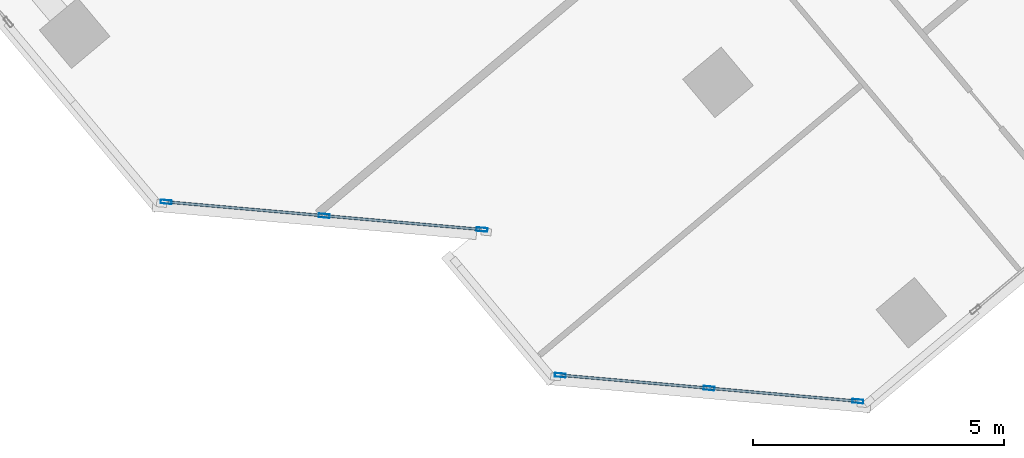
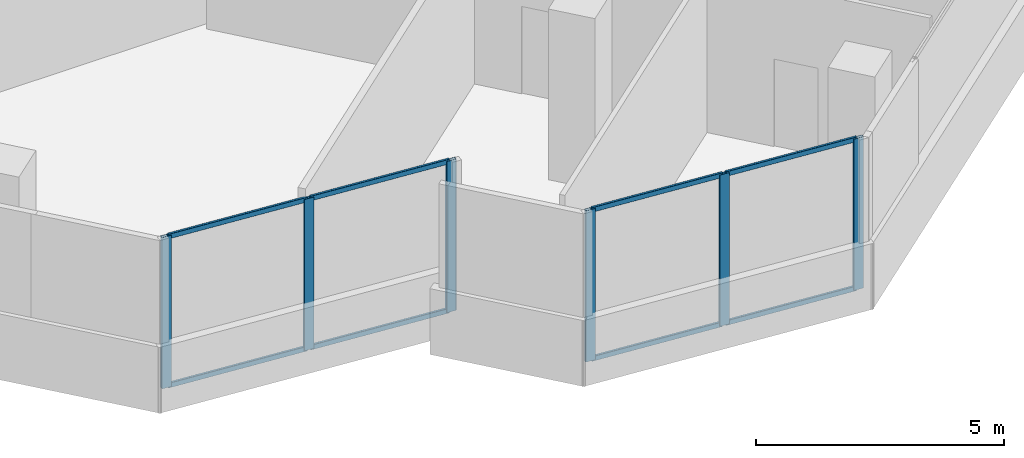
# One storey, part 3 of 17: 14 members, 2 elements without a shape of their own.
"""IFC4 building model written with IfcOpenShell, lengths in metres."""

from ifc_helpers import new_model, si_unit, direction, frame, origin, origin_2d, place, context, subcontext, project, spatial, hollow_rectangle, extrude, source, transform, mapped, material, material_profile, profile_set, type_object, element, aggregate, save


model = new_model("IFC4")

# Units and contexts
model_context = context("Model", 3, precision=1e-05, world=origin(), true_north=direction((0.0, 1.0)))
body_context = subcontext(model_context, "Body", "Model", "MODEL_VIEW")
ifc_project = project(units=[si_unit("LENGTHUNIT", "METRE"), si_unit("AREAUNIT", "SQUARE_METRE"), si_unit("VOLUMEUNIT", "CUBIC_METRE"), si_unit("PLANEANGLEUNIT", "RADIAN"), si_unit("MASSUNIT", "GRAM", prefix="KILO")], contexts=[model_context])

# Site, building, storey
site_placement = place(None, origin())
site = spatial("IfcSite", under=ifc_project, at=site_placement, CompositionType="ELEMENT")
building_placement = place(site_placement, origin())
building = spatial("IfcBuilding", under=site, at=building_placement, Name="Torre Montelarca", CompositionType="ELEMENT")
storey_placement = place(building_placement, frame((0.0, 0.0, 271.0)))
storey = spatial("IfcBuildingStorey", under=building, at=storey_placement, Name="L61", CompositionType="ELEMENT", Elevation=271.0)

# Curtain wall, members
ifc_material_1 = material(Name="Insulated low-E laminated glass", Category="glass")
curtain_wall_type = type_object("IfcCurtainWallType", Name="CW-SYS-Z3", PredefinedType="USERDEFINED", material=ifc_material_1)
curtain_wall_1_placement = place(storey_placement, origin())
curtain_wall_1 = element("IfcCurtainWall", 1, at=curtain_wall_1_placement, inside=storey, type_object=curtain_wall_type, Name="L61 Curtain Wall Run CW-T3-L61-E02-B1", ObjectType="UNITISED GLAZING", PredefinedType="USERDEFINED")
ifc_material_2 = material(Name="Anodised aluminium AA 6063-T6", Category="aluminium")
ifc_material_profile_1 = material_profile(ifc_material_2, hollow_rectangle(XDim=0.054931640625, YDim=0.1201171875, WallThickness=0.00341796875, InnerFilletRadius=0.00341796875, OuterFilletRadius=0.007080078125, at=origin_2d()), Name="ALU55X120X3.5", Category="aluminium")
ifc_profile_set_1 = profile_set([ifc_material_profile_1], Name="Anodised aluminium AA 6063-T6")
member_type_1 = type_object("IfcMemberType", Name="CWT-ALU120", PredefinedType="USERDEFINED", material=ifc_profile_set_1)
shared_shape_1 = source(origin(), body_context, "Body", "SweptSolid", [
    extrude(hollow_rectangle(XDim=0.054931640625, YDim=0.1201171875, WallThickness=0.00341796875, InnerFilletRadius=0.00341796875, OuterFilletRadius=0.007080078125, at=origin_2d()), origin(), (0.0, 0.0, 1.0), 3.08740234375),
])
member_1_placement = place(storey_placement, frame((13.722900390625, 13.3623046875, 0.027587890625), z_axis=(0.996189081196, -0.087219920349, 0.0), x_axis=(0.087219920349, 0.996189081196, 0.0)))
member_1 = element("IfcMember", 2, at=member_1_placement, type_object=member_type_1, Name="CW transom 1.1", ObjectType="TRANSOM", PredefinedType="USERDEFINED", context=body_context, shape_type="MappedRepresentation", body=[
    mapped(shared_shape_1, transform((0.0, 0.0, 0.0), scale=1.0)),
])
member_2_placement = place(storey_placement, frame((13.722900390625, 13.3623046875, 3.6923828125), z_axis=(0.996189081196, -0.087219920349, 0.0), x_axis=(0.087219920349, 0.996189081196, 0.0)))
member_2 = element("IfcMember", 3, at=member_2_placement, type_object=member_type_1, Name="CW transom 1.2", ObjectType="TRANSOM", PredefinedType="USERDEFINED", context=body_context, shape_type="MappedRepresentation", body=[
    mapped(shared_shape_1, transform((0.0, 0.0, 0.0), scale=1.0)),
])
member_3_placement = place(storey_placement, frame((16.873291015625, 13.086669921875, 0.027587890625), z_axis=(0.996189081196, -0.087219920349, 0.0), x_axis=(0.087219920349, 0.996189081196, 0.0)))
member_3 = element("IfcMember", 4, at=member_3_placement, type_object=member_type_1, Name="CW transom 2.1", ObjectType="TRANSOM", PredefinedType="USERDEFINED", context=body_context, shape_type="MappedRepresentation", body=[
    mapped(shared_shape_1, transform((0.0, 0.0, 0.0), scale=1.0)),
])
member_4_placement = place(storey_placement, frame((16.873291015625, 13.086669921875, 3.6923828125), z_axis=(0.996189081196, -0.087219920349, 0.0), x_axis=(0.087219920349, 0.996189081196, 0.0)))
member_4 = element("IfcMember", 5, at=member_4_placement, type_object=member_type_1, Name="CW transom 2.2", ObjectType="TRANSOM", PredefinedType="USERDEFINED", context=body_context, shape_type="MappedRepresentation", body=[
    mapped(shared_shape_1, transform((0.0, 0.0, 0.0), scale=1.0)),
])

curtain_wall_2_placement = place(storey_placement, origin())
curtain_wall_2 = element("IfcCurtainWall", 6, at=curtain_wall_2_placement, inside=storey, type_object=curtain_wall_type, Name="L61 Curtain Wall Run CW-T3-L61-E05-B1", ObjectType="UNITISED GLAZING", PredefinedType="USERDEFINED")
shared_shape_2 = source(origin(), body_context, "Body", "SweptSolid", [
    extrude(hollow_rectangle(XDim=0.054931640625, YDim=0.1201171875, WallThickness=0.00341796875, InnerFilletRadius=0.00341796875, OuterFilletRadius=0.007080078125, at=origin_2d()), origin(), (0.0, 0.0, 1.0), 2.903564453125),
])
member_5_placement = place(storey_placement, frame((24.550537109375, 9.646728515625, 0.027587890625), z_axis=(0.996191526826, -0.087191982893, 0.0), x_axis=(0.087191982893, 0.996191526826, 0.0)))
member_5 = element("IfcMember", 7, at=member_5_placement, type_object=member_type_1, Name="CW transom 2.1", ObjectType="TRANSOM", PredefinedType="USERDEFINED", context=body_context, shape_type="MappedRepresentation", body=[
    mapped(shared_shape_2, transform((0.0, 0.0, 0.0), scale=1.0)),
])
member_6_placement = place(storey_placement, frame((24.550537109375, 9.646728515625, 3.6923828125), z_axis=(0.996191526826, -0.087191982893, 0.0), x_axis=(0.087191982893, 0.996191526826, 0.0)))
member_6 = element("IfcMember", 8, at=member_6_placement, type_object=member_type_1, Name="CW transom 2.2", ObjectType="TRANSOM", PredefinedType="USERDEFINED", context=body_context, shape_type="MappedRepresentation", body=[
    mapped(shared_shape_2, transform((0.0, 0.0, 0.0), scale=1.0)),
])
shared_shape_3 = source(origin(), body_context, "Body", "SweptSolid", [
    extrude(hollow_rectangle(XDim=0.054931640625, YDim=0.1201171875, WallThickness=0.00341796875, InnerFilletRadius=0.00341796875, OuterFilletRadius=0.007080078125, at=origin_2d()), origin(), (0.0, 0.0, 1.0), 2.9033203125),
])
member_7_placement = place(storey_placement, frame((21.58349609375, 9.90625, 0.027587890625), z_axis=(0.996190887524, -0.08719928677, 0.0), x_axis=(0.08719928677, 0.996190887524, 0.0)))
member_7 = element("IfcMember", 9, at=member_7_placement, type_object=member_type_1, Name="CW transom 1.1", ObjectType="TRANSOM", PredefinedType="USERDEFINED", context=body_context, shape_type="MappedRepresentation", body=[
    mapped(shared_shape_3, transform((0.0, 0.0, 0.0), scale=1.0)),
])
member_8_placement = place(storey_placement, frame((21.58349609375, 9.90625, 3.6923828125), z_axis=(0.996190887524, -0.08719928677, 0.0), x_axis=(0.08719928677, 0.996190887524, 0.0)))
member_8 = element("IfcMember", 10, at=member_8_placement, type_object=member_type_1, Name="CW transom 1.2", ObjectType="TRANSOM", PredefinedType="USERDEFINED", context=body_context, shape_type="MappedRepresentation", body=[
    mapped(shared_shape_3, transform((0.0, 0.0, 0.0), scale=1.0)),
])

# Member
ifc_material_profile_2 = material_profile(ifc_material_2, hollow_rectangle(XDim=0.074951171875, YDim=0.219970703125, WallThickness=0.0048828125, InnerFilletRadius=0.0048828125, OuterFilletRadius=0.010009765625, at=origin_2d()), Name="ALU75X220X5", Category="aluminium")
ifc_profile_set_2 = profile_set([ifc_material_profile_2], Name="Anodised aluminium AA 6063-T6")
member_type_2 = type_object("IfcMemberType", Name="CWM-ALU220", PredefinedType="MULLION", material=ifc_profile_set_2)
shared_shape_4 = source(origin(), body_context, "Body", "SweptSolid", [
    extrude(hollow_rectangle(XDim=0.074951171875, YDim=0.219970703125, WallThickness=0.0048828125, InnerFilletRadius=0.0048828125, OuterFilletRadius=0.010009765625, at=origin_2d()), origin(), (0.0, 0.0, 1.0), 3.719970703125),
])
member_9_placement = place(storey_placement, frame((13.685546875, 13.365478515625, 0.0), z_axis=(0.0, 0.0, 1.0), x_axis=(0.087173734413, 0.996193123861, 0.0)))
member_9 = element("IfcMember", 11, at=member_9_placement, type_object=member_type_2, Name="CW mullion 1", PredefinedType="MULLION", context=body_context, shape_type="MappedRepresentation", body=[
    mapped(shared_shape_4, transform((0.0, 0.0, 0.0), scale=1.0)),
])

member_10_placement = place(storey_placement, frame((16.8359375, 13.08984375, 0.0), z_axis=(0.0, 0.0, 1.0), x_axis=(0.087173734413, 0.996193123861, 0.0)))
member_10 = element("IfcMember", 12, at=member_10_placement, type_object=member_type_2, Name="CW mullion 2", PredefinedType="MULLION", context=body_context, shape_type="MappedRepresentation", body=[
    mapped(shared_shape_4, transform((0.0, 0.0, 0.0), scale=1.0)),
])

member_11_placement = place(storey_placement, frame((19.986328125, 12.814208984375, 0.0), z_axis=(0.0, 0.0, 1.0), x_axis=(0.087173734413, 0.996193123861, 0.0)))
member_11 = element("IfcMember", 13, at=member_11_placement, type_object=member_type_2, Name="CW mullion 3", PredefinedType="MULLION", context=body_context, shape_type="MappedRepresentation", body=[
    mapped(shared_shape_4, transform((0.0, 0.0, 0.0), scale=1.0)),
])

aggregate(curtain_wall_1, [member_9, member_10, member_11, member_1, member_2, member_3, member_4])

member_12_placement = place(storey_placement, frame((21.546142578125, 9.909423828125, 0.0), z_axis=(0.0, 0.0, 1.0), x_axis=(0.087166127681, 0.996193789473, 0.0)))
member_12 = element("IfcMember", 14, at=member_12_placement, type_object=member_type_2, Name="CW mullion 1", PredefinedType="MULLION", context=body_context, shape_type="MappedRepresentation", body=[
    mapped(shared_shape_4, transform((0.0, 0.0, 0.0), scale=1.0)),
])

member_13_placement = place(storey_placement, frame((24.51318359375, 9.64990234375, 0.0), z_axis=(0.0, 0.0, 1.0), x_axis=(0.087166127681, 0.996193789473, 0.0)))
member_13 = element("IfcMember", 15, at=member_13_placement, type_object=member_type_2, Name="CW mullion 2", PredefinedType="MULLION", context=body_context, shape_type="MappedRepresentation", body=[
    mapped(shared_shape_4, transform((0.0, 0.0, 0.0), scale=1.0)),
])

member_14_placement = place(storey_placement, frame((27.48046875, 9.390380859375, 0.0), z_axis=(0.0, 0.0, 1.0), x_axis=(0.087166127681, 0.996193789473, 0.0)))
member_14 = element("IfcMember", 16, at=member_14_placement, type_object=member_type_2, Name="CW mullion 3", PredefinedType="MULLION", context=body_context, shape_type="MappedRepresentation", body=[
    mapped(shared_shape_4, transform((0.0, 0.0, 0.0), scale=1.0)),
])

aggregate(curtain_wall_2, [member_12, member_13, member_14, member_7, member_8, member_5, member_6])

save(model, "model.ifc")
